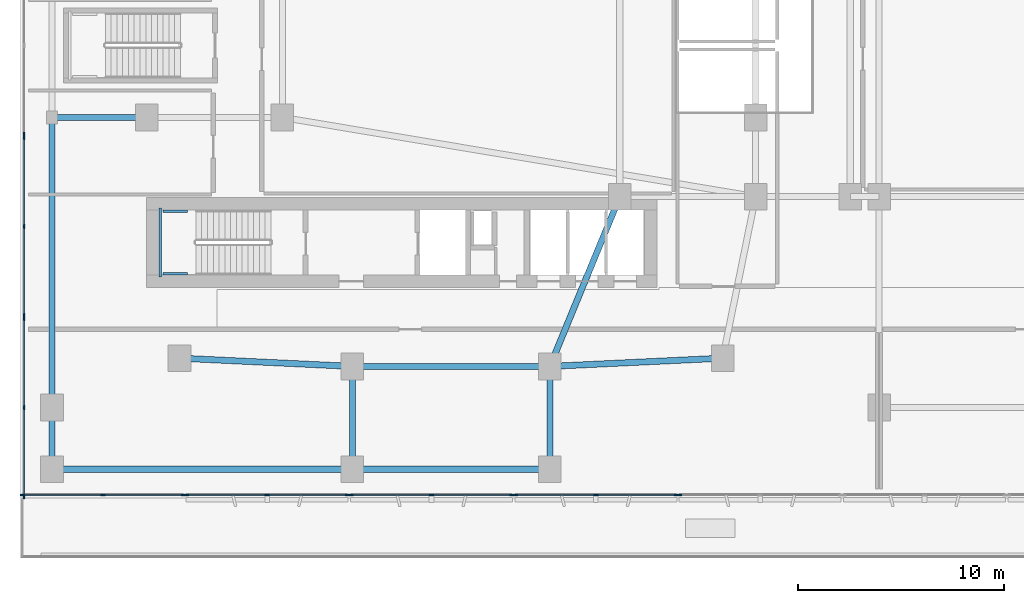
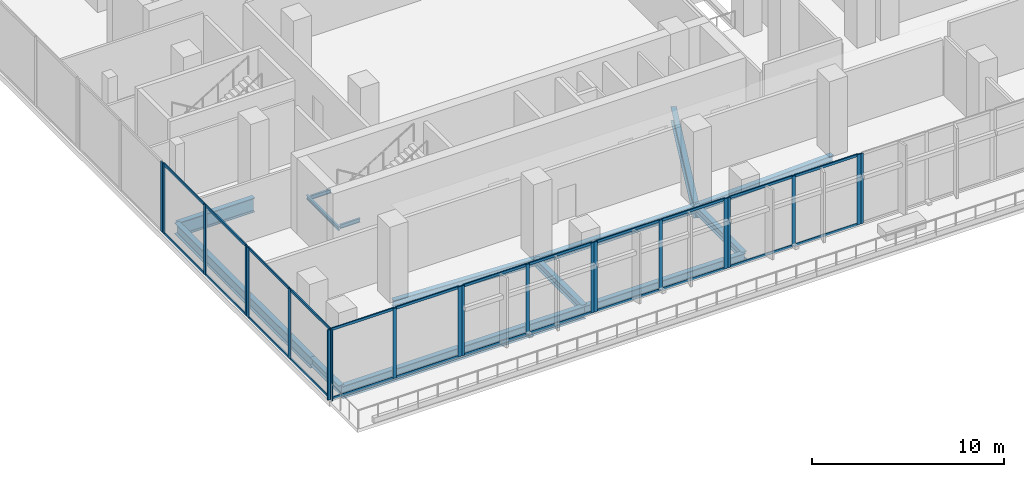
# One storey, part 2 of 30: 44 members, 14 beams, 8 elements without a shape of their own.
"""IFC4 building model written with IfcOpenShell, lengths in metres."""

from ifc_helpers import new_model, si_unit, derived_unit, direction, frame, origin, origin_2d, place, context, subcontext, project, spatial, rectangle, i_section, extrude, material, layer, layer_set, material_profile, profile_set, type_object, element, aggregate, save


model = new_model("IFC4")

# Units and contexts
model_context = context("Model", 3, precision=1e-05, world=origin(), true_north=direction((0.0, 1.0)))
body_context = subcontext(model_context, "Body", "Model", "MODEL_VIEW")
ifc_project = project(units=[si_unit("LENGTHUNIT", "METRE"), si_unit("AREAUNIT", "SQUARE_METRE"), si_unit("VOLUMEUNIT", "CUBIC_METRE"), si_unit("PLANEANGLEUNIT", "RADIAN"), si_unit("MASSUNIT", "GRAM", prefix="KILO"), derived_unit("THERMALTRANSMITTANCEUNIT", [(si_unit("POWERUNIT", "WATT"), 1), (si_unit("LENGTHUNIT", "METRE"), -2), (si_unit("THERMODYNAMICTEMPERATUREUNIT", "KELVIN"), -1)])], contexts=[model_context])

# Site, building, storey
site_placement = place(None, origin())
site = spatial("IfcSite", under=ifc_project, at=site_placement, CompositionType="ELEMENT")
building_placement = place(site_placement, origin())
building = spatial("IfcBuilding", under=site, at=building_placement, Name="Kivonza Crest Hotel", CompositionType="ELEMENT")
storey_placement = place(building_placement, frame((0.0, 0.0, 10.199951171875)))
storey = spatial("IfcBuildingStorey", under=building, at=storey_placement, Name="L02", CompositionType="ELEMENT", Elevation=10.199951171875)

# Beams
ifc_material_1 = material(Name="Steel S355", Category="steel")
ifc_material_profile_1 = material_profile(ifc_material_1, i_section(OverallWidth=0.300048828125, OverallDepth=0.449951171875, WebThickness=0.013916015625, FlangeThickness=0.02587890625, FilletRadius=0.027099609375, at=origin_2d()), Name="HEB 450")
ifc_profile_set_1 = profile_set([ifc_material_profile_1], Name="Steel S355")
beam_type_1 = type_object("IfcBeamType", Name="BM-HEB450", PredefinedType="SPANDREL", material=ifc_profile_set_1)
beam_1_placement = place(storey_placement, frame((16.199951171875, 9.39990234375, -0.574951171875), z_axis=(1.0, 0.0, 0.0), x_axis=(0.0, 1.0, 0.0)))
element("IfcBeam", 1, at=beam_1_placement, inside=storey, type_object=beam_type_1, Name="Tower T1 L02 perimeter spandrel S1-S2", PredefinedType="SPANDREL", context=body_context, shape_type="SweptSolid", body=[
    extrude(i_section(OverallWidth=0.300048828125, OverallDepth=0.449951171875, WebThickness=0.013916015625, FlangeThickness=0.02587890625, FilletRadius=0.027099609375, at=origin_2d()), origin(), (0.0, 0.0, 1.0), 9.60009765625),
])
for number, where, z_axis, x_axis, name in (
    (2, (25.800048828125, 9.39990234375, -0.574951171875), (0.998867283688, 0.047583080799, 0.0), (-0.047583080799, 0.998867283688, 0.0), "Tower T1 L02 perimeter spandrel S2-SE"),
    (3, (7.800048828125, 9.800048828125, -0.574951171875), (0.998867283688, -0.047583080799, 0.0), (0.047583080799, 0.998867283688, 0.0), "Tower T1 L02 perimeter spandrel SW-S1"),
):
    element("IfcBeam", number, at=place(storey_placement, frame(where, z_axis=z_axis, x_axis=x_axis)), inside=storey, type_object=beam_type_1, Name=name, PredefinedType="SPANDREL", context=body_context, shape_type="SweptSolid", body=[
        extrude(i_section(OverallWidth=0.300048828125, OverallDepth=0.449951171875, WebThickness=0.013916015625, FlangeThickness=0.02587890625, FilletRadius=0.027099609375, at=origin_2d()), origin(), (0.0, 0.0, 1.0), 8.409423828125),
    ])
ifc_material_profile_2 = material_profile(ifc_material_1, i_section(OverallWidth=0.300048828125, OverallDepth=0.5, WebThickness=0.014404296875, FlangeThickness=0.028076171875, FilletRadius=0.027099609375, at=origin_2d()), Name="HEB 500")
ifc_profile_set_2 = profile_set([ifc_material_profile_2], Name="Steel S355")
beam_type_2 = type_object("IfcBeamType", Name="BM-HEB500", PredefinedType="BEAM", material=ifc_profile_set_2)
beam_2_placement = place(storey_placement, frame((1.60009765625, 4.39990234375, -0.599853515625), z_axis=(0.0, 1.0, 0.0), x_axis=(-1.0, 0.0, 0.0)))
element("IfcBeam", 4, at=beam_2_placement, inside=storey, type_object=beam_type_2, Name="L02 podium girder Y 35", PredefinedType="BEAM", context=body_context, shape_type="SweptSolid", body=[
    extrude(i_section(OverallWidth=0.300048828125, OverallDepth=0.5, WebThickness=0.014404296875, FlangeThickness=0.028076171875, FilletRadius=0.027099609375, at=origin_2d()), origin(), (0.0, 0.0, 1.0), 3.0),
])
for number, where, z_axis, x_axis, name in (
    (5, (16.199951171875, 4.39990234375, -0.599853515625), (0.0, 1.0, 0.0), (-1.0, 0.0, 0.0), "L02 podium girder Y 42"),
    (6, (25.800048828125, 4.39990234375, -0.599853515625), (0.0, 1.0, 0.0), (-1.0, 0.0, 0.0), "L02 podium girder Y 44"),
):
    element("IfcBeam", number, at=place(storey_placement, frame(where, z_axis=z_axis, x_axis=x_axis)), inside=storey, type_object=beam_type_2, Name=name, PredefinedType="BEAM", context=body_context, shape_type="SweptSolid", body=[
        extrude(i_section(OverallWidth=0.300048828125, OverallDepth=0.5, WebThickness=0.014404296875, FlangeThickness=0.028076171875, FilletRadius=0.027099609375, at=origin_2d()), origin(), (0.0, 0.0, 1.0), 5.0),
    ])
ifc_material_profile_3 = material_profile(ifc_material_1, i_section(OverallWidth=0.300048828125, OverallDepth=0.60009765625, WebThickness=0.015380859375, FlangeThickness=0.030029296875, FilletRadius=0.027099609375, at=origin_2d()), Name="HEB 600")
ifc_profile_set_3 = profile_set([ifc_material_profile_3], Name="Steel S355")
beam_type_3 = type_object("IfcBeamType", Name="BM-HEB600", PredefinedType="BEAM", material=ifc_profile_set_3)
beam_3_placement = place(storey_placement, frame((16.199951171875, 4.39990234375, -0.64990234375), z_axis=(1.0, 0.0, 0.0), x_axis=(0.0, 1.0, 0.0)))
element("IfcBeam", 7, at=beam_3_placement, inside=storey, type_object=beam_type_3, Name="L02 podium girder X 2", PredefinedType="BEAM", context=body_context, shape_type="SweptSolid", body=[
    extrude(i_section(OverallWidth=0.300048828125, OverallDepth=0.60009765625, WebThickness=0.015380859375, FlangeThickness=0.030029296875, FilletRadius=0.027099609375, at=origin_2d()), origin(), (0.0, 0.0, 1.0), 9.60009765625),
])
ifc_material_profile_4 = material_profile(ifc_material_1, i_section(OverallWidth=0.300048828125, OverallDepth=0.699951171875, WebThickness=0.01708984375, FlangeThickness=0.031982421875, FilletRadius=0.027099609375, at=origin_2d()), Name="HEB 700")
ifc_profile_set_4 = profile_set([ifc_material_profile_4], Name="Steel S355")
beam_type_4 = type_object("IfcBeamType", Name="BM-HEB700", PredefinedType="BEAM", material=ifc_profile_set_4)
beam_4_placement = place(storey_placement, frame((1.60009765625, 7.39990234375, -0.699951171875), z_axis=(0.0, 1.0, 0.0), x_axis=(-1.0, 0.0, 0.0)))
element("IfcBeam", 8, at=beam_4_placement, inside=storey, type_object=beam_type_4, Name="L02 podium girder Y 36", PredefinedType="BEAM", context=body_context, shape_type="SweptSolid", body=[
    extrude(i_section(OverallWidth=0.300048828125, OverallDepth=0.699951171875, WebThickness=0.01708984375, FlangeThickness=0.031982421875, FilletRadius=0.027099609375, at=origin_2d()), origin(), (0.0, 0.0, 1.0), 14.10009765625),
])
ifc_material_profile_5 = material_profile(ifc_material_1, i_section(OverallWidth=0.300048828125, OverallDepth=0.800048828125, WebThickness=0.017578125, FlangeThickness=0.032958984375, FilletRadius=0.030029296875, at=origin_2d()), Name="HEB 800")
ifc_profile_set_5 = profile_set([ifc_material_profile_5], Name="Steel S355")
beam_type_5 = type_object("IfcBeamType", Name="BM-HEB800", PredefinedType="BEAM", material=ifc_profile_set_5)
beam_5_placement = place(storey_placement, frame((1.60009765625, 4.39990234375, -0.75), z_axis=(1.0, 0.0, 0.0), x_axis=(0.0, 1.0, 0.0)))
element("IfcBeam", 9, at=beam_5_placement, inside=storey, type_object=beam_type_5, Name="L02 podium girder X 1", PredefinedType="BEAM", context=body_context, shape_type="SweptSolid", body=[
    extrude(i_section(OverallWidth=0.300048828125, OverallDepth=0.800048828125, WebThickness=0.017578125, FlangeThickness=0.032958984375, FilletRadius=0.030029296875, at=origin_2d()), origin(), (0.0, 0.0, 1.0), 14.599853515625),
])
ifc_material_profile_6 = material_profile(ifc_material_1, i_section(OverallWidth=0.300048828125, OverallDepth=0.89990234375, WebThickness=0.0185546875, FlangeThickness=0.034912109375, FilletRadius=0.030029296875, at=origin_2d()), Name="HEB 900")
ifc_profile_set_6 = profile_set([ifc_material_profile_6], Name="Steel S355")
beam_type_6 = type_object("IfcBeamType", Name="BM-HEB900", PredefinedType="BEAM", material=ifc_profile_set_6)
beam_6_placement = place(storey_placement, frame((25.800048828125, 9.39990234375, -0.800048828125), z_axis=(0.381022260404, 0.924565864109, 0.0), x_axis=(-0.924565864109, 0.381022260404, 0.0)))
element("IfcBeam", 10, at=beam_6_placement, inside=storey, type_object=beam_type_6, Name="Tower T1 L02 primary girder S1-TSE", PredefinedType="BEAM", context=body_context, shape_type="SweptSolid", body=[
    extrude(i_section(OverallWidth=0.300048828125, OverallDepth=0.89990234375, WebThickness=0.0185546875, FlangeThickness=0.034912109375, FilletRadius=0.030029296875, at=origin_2d()), origin(), (0.0, 0.0, 1.0), 8.923095703125),
])
beam_7_placement = place(storey_placement, frame((1.60009765625, 21.5, -0.800048828125), z_axis=(1.0, 0.0, 0.0), x_axis=(0.0, 1.0, 0.0)))
element("IfcBeam", 11, at=beam_7_placement, inside=storey, type_object=beam_type_6, Name="Tower T1 L02 outer bay girder ZW1", PredefinedType="BEAM", context=body_context, shape_type="SweptSolid", body=[
    extrude(i_section(OverallWidth=0.300048828125, OverallDepth=0.89990234375, WebThickness=0.0185546875, FlangeThickness=0.034912109375, FilletRadius=0.030029296875, at=origin_2d()), origin(), (0.0, 0.0, 1.0), 4.599853515625),
])
ifc_material_profile_7 = material_profile(ifc_material_1, i_section(OverallWidth=0.1201171875, OverallDepth=0.239990234375, WebThickness=0.006103515625, FlangeThickness=0.009765625, FilletRadius=0.014892578125, at=origin_2d()), Name="IPE 240")
ifc_profile_set_7 = profile_set([ifc_material_profile_7], Name="Steel S355")
beam_type_7 = type_object("IfcBeamType", Name="BM-LLDG-240", PredefinedType="BEAM", material=ifc_profile_set_7)
beam_8_placement = place(storey_placement, frame((6.860107421875, 13.739990234375, 2.080078125), z_axis=(0.0, 1.0, 0.0), x_axis=(-1.0, 0.0, 0.0)))
element("IfcBeam", 12, at=beam_8_placement, inside=storey, type_object=beam_type_7, Name="Stair ST-T1-S L02 West landing corbel", PredefinedType="BEAM", context=body_context, shape_type="SweptSolid", body=[
    extrude(i_section(OverallWidth=0.1201171875, OverallDepth=0.239990234375, WebThickness=0.006103515625, FlangeThickness=0.009765625, FilletRadius=0.014892578125, at=origin_2d()), origin(), (0.0, 0.0, 1.0), 3.360107421875),
])
for number, where, z_axis, x_axis, name in (
    (13, (6.989990234375, 13.89990234375, 2.080078125), (1.0, 0.0, 0.0), (0.0, 1.0, 0.0), "Stair ST-T1-S L02 South landing corbel"),
    (14, (6.989990234375, 16.93994140625, 2.080078125), (1.0, 0.0, 0.0), (0.0, 1.0, 0.0), "Stair ST-T1-S L02 North landing corbel"),
):
    element("IfcBeam", number, at=place(storey_placement, frame(where, z_axis=z_axis, x_axis=x_axis)), inside=storey, type_object=beam_type_7, Name=name, PredefinedType="BEAM", context=body_context, shape_type="SweptSolid", body=[
        extrude(i_section(OverallWidth=0.1201171875, OverallDepth=0.239990234375, WebThickness=0.006103515625, FlangeThickness=0.009765625, FilletRadius=0.014892578125, at=origin_2d()), origin(), (0.0, 0.0, 1.0), 1.2099609375),
    ])

# Curtain wall, members
ifc_material_2 = material(Name="Anodised bronze aluminium and low-E double glazing", Category="aluminium")
ifc_layer = layer(ifc_material_2, 0.219970703125)
ifc_layer_set = layer_set([ifc_layer], Name="Anodised bronze aluminium and low-E double glazing")
curtain_wall_type = type_object("IfcCurtainWallType", Name="CW-SYS-1", PredefinedType="NOTDEFINED", material=ifc_layer_set)
curtain_wall_1_placement = place(storey_placement, origin())
curtain_wall_1 = element("IfcCurtainWall", 15, at=curtain_wall_1_placement, inside=storey, type_object=curtain_wall_type, Name="L02 unitised curtain wall CW-POD-L02-01", PredefinedType="NOTDEFINED")
ifc_material_3 = material(Name="Anodised bronze aluminium", Category="aluminium")
ifc_material_profile_8 = material_profile(ifc_material_3, rectangle(XDim=0.074951171875, YDim=0.219970703125, at=origin_2d()), Name="CW-M 75x220")
ifc_profile_set_8 = profile_set([ifc_material_profile_8], Name="Anodised bronze aluminium")
member_type_1 = type_object("IfcMemberType", Name="CW-MUL-75x220", PredefinedType="MULLION", material=ifc_profile_set_8)
member_1_placement = place(storey_placement, frame((0.157470703125, 3.159912109375, 0.0), z_axis=(0.0, 0.0, 1.0), x_axis=(0.0, 1.0, 0.0)))
member_1 = element("IfcMember", 16, at=member_1_placement, type_object=member_type_1, Name="CW-1 mullion 1", PredefinedType="MULLION", context=body_context, shape_type="SweptSolid", body=[
    extrude(rectangle(XDim=0.074951171875, YDim=0.219970703125, at=origin_2d()), origin(), (0.0, 0.0, 1.0), 4.449951171875),
])
member_2_placement = place(storey_placement, frame((4.073486328125, 3.159912109375, 0.0), z_axis=(0.0, 0.0, 1.0), x_axis=(0.0, 1.0, 0.0)))
member_2 = element("IfcMember", 17, at=member_2_placement, type_object=member_type_1, Name="CW-1 mullion 2", PredefinedType="MULLION", context=body_context, shape_type="SweptSolid", body=[
    extrude(rectangle(XDim=0.074951171875, YDim=0.219970703125, at=origin_2d()), origin(), (0.0, 0.0, 1.0), 4.449951171875),
])
member_3_placement = place(storey_placement, frame((7.989501953125, 3.159912109375, 0.0), z_axis=(0.0, 0.0, 1.0), x_axis=(0.0, 1.0, 0.0)))
member_3 = element("IfcMember", 18, at=member_3_placement, type_object=member_type_1, Name="CW-1 mullion 3", PredefinedType="MULLION", context=body_context, shape_type="SweptSolid", body=[
    extrude(rectangle(XDim=0.074951171875, YDim=0.219970703125, at=origin_2d()), origin(), (0.0, 0.0, 1.0), 4.449951171875),
])

curtain_wall_2_placement = place(storey_placement, origin())
curtain_wall_2 = element("IfcCurtainWall", 19, at=curtain_wall_2_placement, inside=storey, type_object=curtain_wall_type, Name="L02 unitised curtain wall CW-POD-L02-02", PredefinedType="NOTDEFINED")
member_4_placement = place(storey_placement, frame((8.14453125, 3.159912109375, 0.0), z_axis=(0.0, 0.0, 1.0), x_axis=(0.0, 1.0, 0.0)))
member_4 = element("IfcMember", 20, at=member_4_placement, type_object=member_type_1, Name="CW-1 mullion 1", PredefinedType="MULLION", context=body_context, shape_type="SweptSolid", body=[
    extrude(rectangle(XDim=0.074951171875, YDim=0.219970703125, at=origin_2d()), origin(), (0.0, 0.0, 1.0), 4.449951171875),
])
member_5_placement = place(storey_placement, frame((12.06005859375, 3.159912109375, 0.0), z_axis=(0.0, 0.0, 1.0), x_axis=(0.0, 1.0, 0.0)))
member_5 = element("IfcMember", 21, at=member_5_placement, type_object=member_type_1, Name="CW-1 mullion 2", PredefinedType="MULLION", context=body_context, shape_type="SweptSolid", body=[
    extrude(rectangle(XDim=0.074951171875, YDim=0.219970703125, at=origin_2d()), origin(), (0.0, 0.0, 1.0), 4.449951171875),
])
member_6_placement = place(storey_placement, frame((15.9755859375, 3.159912109375, 0.0), z_axis=(0.0, 0.0, 1.0), x_axis=(0.0, 1.0, 0.0)))
member_6 = element("IfcMember", 22, at=member_6_placement, type_object=member_type_1, Name="CW-1 mullion 3", PredefinedType="MULLION", context=body_context, shape_type="SweptSolid", body=[
    extrude(rectangle(XDim=0.074951171875, YDim=0.219970703125, at=origin_2d()), origin(), (0.0, 0.0, 1.0), 4.449951171875),
])

curtain_wall_3_placement = place(storey_placement, origin())
curtain_wall_3 = element("IfcCurtainWall", 23, at=curtain_wall_3_placement, inside=storey, type_object=curtain_wall_type, Name="L02 unitised curtain wall CW-POD-L02-03", PredefinedType="NOTDEFINED")
member_7_placement = place(storey_placement, frame((16.130615234375, 3.159912109375, 0.0), z_axis=(0.0, 0.0, 1.0), x_axis=(0.0, 1.0, 0.0)))
member_7 = element("IfcMember", 24, at=member_7_placement, type_object=member_type_1, Name="CW-1 mullion 1", PredefinedType="MULLION", context=body_context, shape_type="SweptSolid", body=[
    extrude(rectangle(XDim=0.074951171875, YDim=0.219970703125, at=origin_2d()), origin(), (0.0, 0.0, 1.0), 4.449951171875),
])
member_8_placement = place(storey_placement, frame((20.04638671875, 3.159912109375, 0.0), z_axis=(0.0, 0.0, 1.0), x_axis=(0.0, 1.0, 0.0)))
member_8 = element("IfcMember", 25, at=member_8_placement, type_object=member_type_1, Name="CW-1 mullion 2", PredefinedType="MULLION", context=body_context, shape_type="SweptSolid", body=[
    extrude(rectangle(XDim=0.074951171875, YDim=0.219970703125, at=origin_2d()), origin(), (0.0, 0.0, 1.0), 4.449951171875),
])
member_9_placement = place(storey_placement, frame((23.96240234375, 3.159912109375, 0.0), z_axis=(0.0, 0.0, 1.0), x_axis=(0.0, 1.0, 0.0)))
member_9 = element("IfcMember", 26, at=member_9_placement, type_object=member_type_1, Name="CW-1 mullion 3", PredefinedType="MULLION", context=body_context, shape_type="SweptSolid", body=[
    extrude(rectangle(XDim=0.074951171875, YDim=0.219970703125, at=origin_2d()), origin(), (0.0, 0.0, 1.0), 4.449951171875),
])

curtain_wall_4_placement = place(storey_placement, origin())
curtain_wall_4 = element("IfcCurtainWall", 27, at=curtain_wall_4_placement, inside=storey, type_object=curtain_wall_type, Name="L02 unitised curtain wall CW-POD-L02-04", PredefinedType="NOTDEFINED")
member_10_placement = place(storey_placement, frame((24.117431640625, 3.159912109375, 0.0), z_axis=(0.0, 0.0, 1.0), x_axis=(0.0, 1.0, 0.0)))
member_10 = element("IfcMember", 28, at=member_10_placement, type_object=member_type_1, Name="CW-1 mullion 1", PredefinedType="MULLION", context=body_context, shape_type="SweptSolid", body=[
    extrude(rectangle(XDim=0.074951171875, YDim=0.219970703125, at=origin_2d()), origin(), (0.0, 0.0, 1.0), 4.449951171875),
])
member_11_placement = place(storey_placement, frame((28.033447265625, 3.159912109375, 0.0), z_axis=(0.0, 0.0, 1.0), x_axis=(0.0, 1.0, 0.0)))
member_11 = element("IfcMember", 29, at=member_11_placement, type_object=member_type_1, Name="CW-1 mullion 2", PredefinedType="MULLION", context=body_context, shape_type="SweptSolid", body=[
    extrude(rectangle(XDim=0.074951171875, YDim=0.219970703125, at=origin_2d()), origin(), (0.0, 0.0, 1.0), 4.449951171875),
])
member_12_placement = place(storey_placement, frame((31.949462890625, 3.159912109375, 0.0), z_axis=(0.0, 0.0, 1.0), x_axis=(0.0, 1.0, 0.0)))
member_12 = element("IfcMember", 30, at=member_12_placement, type_object=member_type_1, Name="CW-1 mullion 3", PredefinedType="MULLION", context=body_context, shape_type="SweptSolid", body=[
    extrude(rectangle(XDim=0.074951171875, YDim=0.219970703125, at=origin_2d()), origin(), (0.0, 0.0, 1.0), 4.449951171875),
])

# Curtain wall, member
curtain_wall_5_placement = place(storey_placement, origin())
curtain_wall_5 = element("IfcCurtainWall", 31, at=curtain_wall_5_placement, inside=storey, type_object=curtain_wall_type, Name="L02 unitised curtain wall CW-POD-L02-05", PredefinedType="NOTDEFINED")
member_13_placement = place(storey_placement, frame((32.1044921875, 3.159912109375, 0.0), z_axis=(0.0, 0.0, 1.0), x_axis=(0.0, 1.0, 0.0)))
member_13 = element("IfcMember", 32, at=member_13_placement, type_object=member_type_1, Name="CW-1 mullion 1", PredefinedType="MULLION", context=body_context, shape_type="SweptSolid", body=[
    extrude(rectangle(XDim=0.074951171875, YDim=0.219970703125, at=origin_2d()), origin(), (0.0, 0.0, 1.0), 4.449951171875),
])
aggregate(curtain_wall_5, [member_13])

curtain_wall_6_placement = place(storey_placement, origin())
curtain_wall_6 = element("IfcCurtainWall", 33, at=curtain_wall_6_placement, inside=storey, type_object=curtain_wall_type, Name="L02 unitised curtain wall CW-POD-L02-32", PredefinedType="NOTDEFINED")
member_14_placement = place(storey_placement, frame((0.239990234375, 20.677490234375, 0.0), z_axis=(0.0, 0.0, 1.0), x_axis=(1.0, 0.0, 0.0)))
member_14 = element("IfcMember", 34, at=member_14_placement, type_object=member_type_1, Name="CW-1 mullion 3", PredefinedType="MULLION", context=body_context, shape_type="SweptSolid", body=[
    extrude(rectangle(XDim=0.074951171875, YDim=0.219970703125, at=origin_2d()), origin(), (0.0, 0.0, 1.0), 4.449951171875),
])
aggregate(curtain_wall_6, [member_14])

# Curtain wall, members
curtain_wall_7_placement = place(storey_placement, origin())
curtain_wall_7 = element("IfcCurtainWall", 35, at=curtain_wall_7_placement, inside=storey, type_object=curtain_wall_type, Name="L02 unitised curtain wall CW-POD-L02-33", PredefinedType="NOTDEFINED")
member_15_placement = place(storey_placement, frame((0.239990234375, 20.5224609375, 0.0), z_axis=(0.0, 0.0, 1.0), x_axis=(1.0, 0.0, 0.0)))
member_15 = element("IfcMember", 36, at=member_15_placement, type_object=member_type_1, Name="CW-1 mullion 1", PredefinedType="MULLION", context=body_context, shape_type="SweptSolid", body=[
    extrude(rectangle(XDim=0.074951171875, YDim=0.219970703125, at=origin_2d()), origin(), (0.0, 0.0, 1.0), 4.449951171875),
])
member_16_placement = place(storey_placement, frame((0.239990234375, 16.199951171875, 0.0), z_axis=(0.0, 0.0, 1.0), x_axis=(1.0, 0.0, 0.0)))
member_16 = element("IfcMember", 37, at=member_16_placement, type_object=member_type_1, Name="CW-1 mullion 2", PredefinedType="MULLION", context=body_context, shape_type="SweptSolid", body=[
    extrude(rectangle(XDim=0.074951171875, YDim=0.219970703125, at=origin_2d()), origin(), (0.0, 0.0, 1.0), 4.449951171875),
])
member_17_placement = place(storey_placement, frame((0.239990234375, 11.87744140625, 0.0), z_axis=(0.0, 0.0, 1.0), x_axis=(1.0, 0.0, 0.0)))
member_17 = element("IfcMember", 38, at=member_17_placement, type_object=member_type_1, Name="CW-1 mullion 3", PredefinedType="MULLION", context=body_context, shape_type="SweptSolid", body=[
    extrude(rectangle(XDim=0.074951171875, YDim=0.219970703125, at=origin_2d()), origin(), (0.0, 0.0, 1.0), 4.449951171875),
])

curtain_wall_8_placement = place(storey_placement, origin())
curtain_wall_8 = element("IfcCurtainWall", 39, at=curtain_wall_8_placement, inside=storey, type_object=curtain_wall_type, Name="L02 unitised curtain wall CW-POD-L02-34", PredefinedType="NOTDEFINED")
member_18_placement = place(storey_placement, frame((0.239990234375, 11.722412109375, 0.0), z_axis=(0.0, 0.0, 1.0), x_axis=(1.0, 0.0, 0.0)))
member_18 = element("IfcMember", 40, at=member_18_placement, type_object=member_type_1, Name="CW-1 mullion 1", PredefinedType="MULLION", context=body_context, shape_type="SweptSolid", body=[
    extrude(rectangle(XDim=0.074951171875, YDim=0.219970703125, at=origin_2d()), origin(), (0.0, 0.0, 1.0), 4.449951171875),
])
member_19_placement = place(storey_placement, frame((0.239990234375, 7.39990234375, 0.0), z_axis=(0.0, 0.0, 1.0), x_axis=(1.0, 0.0, 0.0)))
member_19 = element("IfcMember", 41, at=member_19_placement, type_object=member_type_1, Name="CW-1 mullion 2", PredefinedType="MULLION", context=body_context, shape_type="SweptSolid", body=[
    extrude(rectangle(XDim=0.074951171875, YDim=0.219970703125, at=origin_2d()), origin(), (0.0, 0.0, 1.0), 4.449951171875),
])
member_20_placement = place(storey_placement, frame((0.239990234375, 3.077392578125, 0.0), z_axis=(0.0, 0.0, 1.0), x_axis=(1.0, 0.0, 0.0)))
member_20 = element("IfcMember", 42, at=member_20_placement, type_object=member_type_1, Name="CW-1 mullion 3", PredefinedType="MULLION", context=body_context, shape_type="SweptSolid", body=[
    extrude(rectangle(XDim=0.074951171875, YDim=0.219970703125, at=origin_2d()), origin(), (0.0, 0.0, 1.0), 4.449951171875),
])

# Member
ifc_material_profile_9 = material_profile(ifc_material_3, rectangle(XDim=0.074951171875, YDim=0.159912109375, at=origin_2d()), Name="CW-T 75x160")
ifc_profile_set_9 = profile_set([ifc_material_profile_9], Name="Anodised bronze aluminium")
member_type_2 = type_object("IfcMemberType", Name="CW-TRN-75x160", PredefinedType="USERDEFINED", material=ifc_profile_set_9)
member_21_placement = place(storey_placement, frame((0.195068359375, 3.159912109375, 0.03759765625), z_axis=(1.0, 0.0, 0.0), x_axis=(0.0, 1.0, 0.0)))
member_21 = element("IfcMember", 43, at=member_21_placement, type_object=member_type_2, Name="CW-1 transom 1.1", ObjectType="TRANSOM", PredefinedType="USERDEFINED", context=body_context, shape_type="SweptSolid", body=[
    extrude(rectangle(XDim=0.074951171875, YDim=0.159912109375, at=origin_2d()), origin(), (0.0, 0.0, 1.0), 3.8408203125),
])

member_22_placement = place(storey_placement, frame((0.195068359375, 3.159912109375, 4.41259765625), z_axis=(1.0, 0.0, 0.0), x_axis=(0.0, 1.0, 0.0)))
member_22 = element("IfcMember", 44, at=member_22_placement, type_object=member_type_2, Name="CW-1 transom 1.2", ObjectType="TRANSOM", PredefinedType="USERDEFINED", context=body_context, shape_type="SweptSolid", body=[
    extrude(rectangle(XDim=0.074951171875, YDim=0.159912109375, at=origin_2d()), origin(), (0.0, 0.0, 1.0), 3.8408203125),
])

member_23_placement = place(storey_placement, frame((4.111083984375, 3.159912109375, 0.03759765625), z_axis=(1.0, 0.0, 0.0), x_axis=(0.0, 1.0, 0.0)))
member_23 = element("IfcMember", 45, at=member_23_placement, type_object=member_type_2, Name="CW-1 transom 2.1", ObjectType="TRANSOM", PredefinedType="USERDEFINED", context=body_context, shape_type="SweptSolid", body=[
    extrude(rectangle(XDim=0.074951171875, YDim=0.159912109375, at=origin_2d()), origin(), (0.0, 0.0, 1.0), 3.8408203125),
])

member_24_placement = place(storey_placement, frame((4.111083984375, 3.159912109375, 4.41259765625), z_axis=(1.0, 0.0, 0.0), x_axis=(0.0, 1.0, 0.0)))
member_24 = element("IfcMember", 46, at=member_24_placement, type_object=member_type_2, Name="CW-1 transom 2.2", ObjectType="TRANSOM", PredefinedType="USERDEFINED", context=body_context, shape_type="SweptSolid", body=[
    extrude(rectangle(XDim=0.074951171875, YDim=0.159912109375, at=origin_2d()), origin(), (0.0, 0.0, 1.0), 3.8408203125),
])

aggregate(curtain_wall_1, [member_1, member_2, member_3, member_21, member_22, member_23, member_24])

member_25_placement = place(storey_placement, frame((8.181884765625, 3.159912109375, 0.03759765625), z_axis=(1.0, 0.0, 0.0), x_axis=(0.0, 1.0, 0.0)))
member_25 = element("IfcMember", 47, at=member_25_placement, type_object=member_type_2, Name="CW-1 transom 1.1", ObjectType="TRANSOM", PredefinedType="USERDEFINED", context=body_context, shape_type="SweptSolid", body=[
    extrude(rectangle(XDim=0.074951171875, YDim=0.159912109375, at=origin_2d()), origin(), (0.0, 0.0, 1.0), 3.840576171875),
])

member_26_placement = place(storey_placement, frame((8.181884765625, 3.159912109375, 4.41259765625), z_axis=(1.0, 0.0, 0.0), x_axis=(0.0, 1.0, 0.0)))
member_26 = element("IfcMember", 48, at=member_26_placement, type_object=member_type_2, Name="CW-1 transom 1.2", ObjectType="TRANSOM", PredefinedType="USERDEFINED", context=body_context, shape_type="SweptSolid", body=[
    extrude(rectangle(XDim=0.074951171875, YDim=0.159912109375, at=origin_2d()), origin(), (0.0, 0.0, 1.0), 3.840576171875),
])

member_27_placement = place(storey_placement, frame((12.097412109375, 3.159912109375, 0.03759765625), z_axis=(1.0, 0.0, 0.0), x_axis=(0.0, 1.0, 0.0)))
member_27 = element("IfcMember", 49, at=member_27_placement, type_object=member_type_2, Name="CW-1 transom 2.1", ObjectType="TRANSOM", PredefinedType="USERDEFINED", context=body_context, shape_type="SweptSolid", body=[
    extrude(rectangle(XDim=0.074951171875, YDim=0.159912109375, at=origin_2d()), origin(), (0.0, 0.0, 1.0), 3.840576171875),
])

member_28_placement = place(storey_placement, frame((12.097412109375, 3.159912109375, 4.41259765625), z_axis=(1.0, 0.0, 0.0), x_axis=(0.0, 1.0, 0.0)))
member_28 = element("IfcMember", 50, at=member_28_placement, type_object=member_type_2, Name="CW-1 transom 2.2", ObjectType="TRANSOM", PredefinedType="USERDEFINED", context=body_context, shape_type="SweptSolid", body=[
    extrude(rectangle(XDim=0.074951171875, YDim=0.159912109375, at=origin_2d()), origin(), (0.0, 0.0, 1.0), 3.840576171875),
])

aggregate(curtain_wall_2, [member_4, member_5, member_6, member_25, member_26, member_27, member_28])

member_29_placement = place(storey_placement, frame((16.16796875, 3.159912109375, 0.03759765625), z_axis=(1.0, 0.0, 0.0), x_axis=(0.0, 1.0, 0.0)))
member_29 = element("IfcMember", 51, at=member_29_placement, type_object=member_type_2, Name="CW-1 transom 1.1", ObjectType="TRANSOM", PredefinedType="USERDEFINED", context=body_context, shape_type="SweptSolid", body=[
    extrude(rectangle(XDim=0.074951171875, YDim=0.159912109375, at=origin_2d()), origin(), (0.0, 0.0, 1.0), 3.841064453125),
])

member_30_placement = place(storey_placement, frame((16.16796875, 3.159912109375, 4.41259765625), z_axis=(1.0, 0.0, 0.0), x_axis=(0.0, 1.0, 0.0)))
member_30 = element("IfcMember", 52, at=member_30_placement, type_object=member_type_2, Name="CW-1 transom 1.2", ObjectType="TRANSOM", PredefinedType="USERDEFINED", context=body_context, shape_type="SweptSolid", body=[
    extrude(rectangle(XDim=0.074951171875, YDim=0.159912109375, at=origin_2d()), origin(), (0.0, 0.0, 1.0), 3.841064453125),
])

member_31_placement = place(storey_placement, frame((20.083984375, 3.159912109375, 0.03759765625), z_axis=(1.0, 0.0, 0.0), x_axis=(0.0, 1.0, 0.0)))
member_31 = element("IfcMember", 53, at=member_31_placement, type_object=member_type_2, Name="CW-1 transom 2.1", ObjectType="TRANSOM", PredefinedType="USERDEFINED", context=body_context, shape_type="SweptSolid", body=[
    extrude(rectangle(XDim=0.074951171875, YDim=0.159912109375, at=origin_2d()), origin(), (0.0, 0.0, 1.0), 3.841064453125),
])

member_32_placement = place(storey_placement, frame((20.083984375, 3.159912109375, 4.41259765625), z_axis=(1.0, 0.0, 0.0), x_axis=(0.0, 1.0, 0.0)))
member_32 = element("IfcMember", 54, at=member_32_placement, type_object=member_type_2, Name="CW-1 transom 2.2", ObjectType="TRANSOM", PredefinedType="USERDEFINED", context=body_context, shape_type="SweptSolid", body=[
    extrude(rectangle(XDim=0.074951171875, YDim=0.159912109375, at=origin_2d()), origin(), (0.0, 0.0, 1.0), 3.841064453125),
])

aggregate(curtain_wall_3, [member_7, member_8, member_9, member_29, member_30, member_31, member_32])

member_33_placement = place(storey_placement, frame((24.155029296875, 3.159912109375, 0.03759765625), z_axis=(1.0, 0.0, 0.0), x_axis=(0.0, 1.0, 0.0)))
member_33 = element("IfcMember", 55, at=member_33_placement, type_object=member_type_2, Name="CW-1 transom 1.1", ObjectType="TRANSOM", PredefinedType="USERDEFINED", context=body_context, shape_type="SweptSolid", body=[
    extrude(rectangle(XDim=0.074951171875, YDim=0.159912109375, at=origin_2d()), origin(), (0.0, 0.0, 1.0), 3.841064453125),
])

member_34_placement = place(storey_placement, frame((24.155029296875, 3.159912109375, 4.41259765625), z_axis=(1.0, 0.0, 0.0), x_axis=(0.0, 1.0, 0.0)))
member_34 = element("IfcMember", 56, at=member_34_placement, type_object=member_type_2, Name="CW-1 transom 1.2", ObjectType="TRANSOM", PredefinedType="USERDEFINED", context=body_context, shape_type="SweptSolid", body=[
    extrude(rectangle(XDim=0.074951171875, YDim=0.159912109375, at=origin_2d()), origin(), (0.0, 0.0, 1.0), 3.841064453125),
])

member_35_placement = place(storey_placement, frame((28.071044921875, 3.159912109375, 0.03759765625), z_axis=(1.0, 0.0, 0.0), x_axis=(0.0, 1.0, 0.0)))
member_35 = element("IfcMember", 57, at=member_35_placement, type_object=member_type_2, Name="CW-1 transom 2.1", ObjectType="TRANSOM", PredefinedType="USERDEFINED", context=body_context, shape_type="SweptSolid", body=[
    extrude(rectangle(XDim=0.074951171875, YDim=0.159912109375, at=origin_2d()), origin(), (0.0, 0.0, 1.0), 3.841064453125),
])

member_36_placement = place(storey_placement, frame((28.071044921875, 3.159912109375, 4.41259765625), z_axis=(1.0, 0.0, 0.0), x_axis=(0.0, 1.0, 0.0)))
member_36 = element("IfcMember", 58, at=member_36_placement, type_object=member_type_2, Name="CW-1 transom 2.2", ObjectType="TRANSOM", PredefinedType="USERDEFINED", context=body_context, shape_type="SweptSolid", body=[
    extrude(rectangle(XDim=0.074951171875, YDim=0.159912109375, at=origin_2d()), origin(), (0.0, 0.0, 1.0), 3.841064453125),
])

aggregate(curtain_wall_4, [member_10, member_11, member_12, member_33, member_34, member_35, member_36])

member_37_placement = place(storey_placement, frame((0.239990234375, 20.485107421875, 0.03759765625), z_axis=(0.0, -1.0, 0.0), x_axis=(1.0, 0.0, 0.0)))
member_37 = element("IfcMember", 59, at=member_37_placement, type_object=member_type_2, Name="CW-1 transom 1.1", ObjectType="TRANSOM", PredefinedType="USERDEFINED", context=body_context, shape_type="SweptSolid", body=[
    extrude(rectangle(XDim=0.074951171875, YDim=0.159912109375, at=origin_2d()), origin(), (0.0, 0.0, 1.0), 4.24755859375),
])

member_38_placement = place(storey_placement, frame((0.239990234375, 20.485107421875, 4.41259765625), z_axis=(0.0, -1.0, 0.0), x_axis=(1.0, 0.0, 0.0)))
member_38 = element("IfcMember", 60, at=member_38_placement, type_object=member_type_2, Name="CW-1 transom 1.2", ObjectType="TRANSOM", PredefinedType="USERDEFINED", context=body_context, shape_type="SweptSolid", body=[
    extrude(rectangle(XDim=0.074951171875, YDim=0.159912109375, at=origin_2d()), origin(), (0.0, 0.0, 1.0), 4.24755859375),
])

member_39_placement = place(storey_placement, frame((0.239990234375, 16.16259765625, 0.03759765625), z_axis=(0.0, -1.0, 0.0), x_axis=(1.0, 0.0, 0.0)))
member_39 = element("IfcMember", 61, at=member_39_placement, type_object=member_type_2, Name="CW-1 transom 2.1", ObjectType="TRANSOM", PredefinedType="USERDEFINED", context=body_context, shape_type="SweptSolid", body=[
    extrude(rectangle(XDim=0.074951171875, YDim=0.159912109375, at=origin_2d()), origin(), (0.0, 0.0, 1.0), 4.24755859375),
])

member_40_placement = place(storey_placement, frame((0.239990234375, 16.16259765625, 4.41259765625), z_axis=(0.0, -1.0, 0.0), x_axis=(1.0, 0.0, 0.0)))
member_40 = element("IfcMember", 62, at=member_40_placement, type_object=member_type_2, Name="CW-1 transom 2.2", ObjectType="TRANSOM", PredefinedType="USERDEFINED", context=body_context, shape_type="SweptSolid", body=[
    extrude(rectangle(XDim=0.074951171875, YDim=0.159912109375, at=origin_2d()), origin(), (0.0, 0.0, 1.0), 4.24755859375),
])

aggregate(curtain_wall_7, [member_15, member_16, member_17, member_37, member_38, member_39, member_40])

member_41_placement = place(storey_placement, frame((0.239990234375, 11.68505859375, 0.03759765625), z_axis=(0.0, -1.0, 0.0), x_axis=(1.0, 0.0, 0.0)))
member_41 = element("IfcMember", 63, at=member_41_placement, type_object=member_type_2, Name="CW-1 transom 1.1", ObjectType="TRANSOM", PredefinedType="USERDEFINED", context=body_context, shape_type="SweptSolid", body=[
    extrude(rectangle(XDim=0.074951171875, YDim=0.159912109375, at=origin_2d()), origin(), (0.0, 0.0, 1.0), 4.24755859375),
])

member_42_placement = place(storey_placement, frame((0.239990234375, 11.68505859375, 4.41259765625), z_axis=(0.0, -1.0, 0.0), x_axis=(1.0, 0.0, 0.0)))
member_42 = element("IfcMember", 64, at=member_42_placement, type_object=member_type_2, Name="CW-1 transom 1.2", ObjectType="TRANSOM", PredefinedType="USERDEFINED", context=body_context, shape_type="SweptSolid", body=[
    extrude(rectangle(XDim=0.074951171875, YDim=0.159912109375, at=origin_2d()), origin(), (0.0, 0.0, 1.0), 4.24755859375),
])

member_43_placement = place(storey_placement, frame((0.239990234375, 7.362548828125, 0.03759765625), z_axis=(0.0, -1.0, 0.0), x_axis=(1.0, 0.0, 0.0)))
member_43 = element("IfcMember", 65, at=member_43_placement, type_object=member_type_2, Name="CW-1 transom 2.1", ObjectType="TRANSOM", PredefinedType="USERDEFINED", context=body_context, shape_type="SweptSolid", body=[
    extrude(rectangle(XDim=0.074951171875, YDim=0.159912109375, at=origin_2d()), origin(), (0.0, 0.0, 1.0), 4.24755859375),
])

member_44_placement = place(storey_placement, frame((0.239990234375, 7.362548828125, 4.41259765625), z_axis=(0.0, -1.0, 0.0), x_axis=(1.0, 0.0, 0.0)))
member_44 = element("IfcMember", 66, at=member_44_placement, type_object=member_type_2, Name="CW-1 transom 2.2", ObjectType="TRANSOM", PredefinedType="USERDEFINED", context=body_context, shape_type="SweptSolid", body=[
    extrude(rectangle(XDim=0.074951171875, YDim=0.159912109375, at=origin_2d()), origin(), (0.0, 0.0, 1.0), 4.24755859375),
])

aggregate(curtain_wall_8, [member_18, member_19, member_20, member_41, member_42, member_43, member_44])

save(model, "model.ifc")
